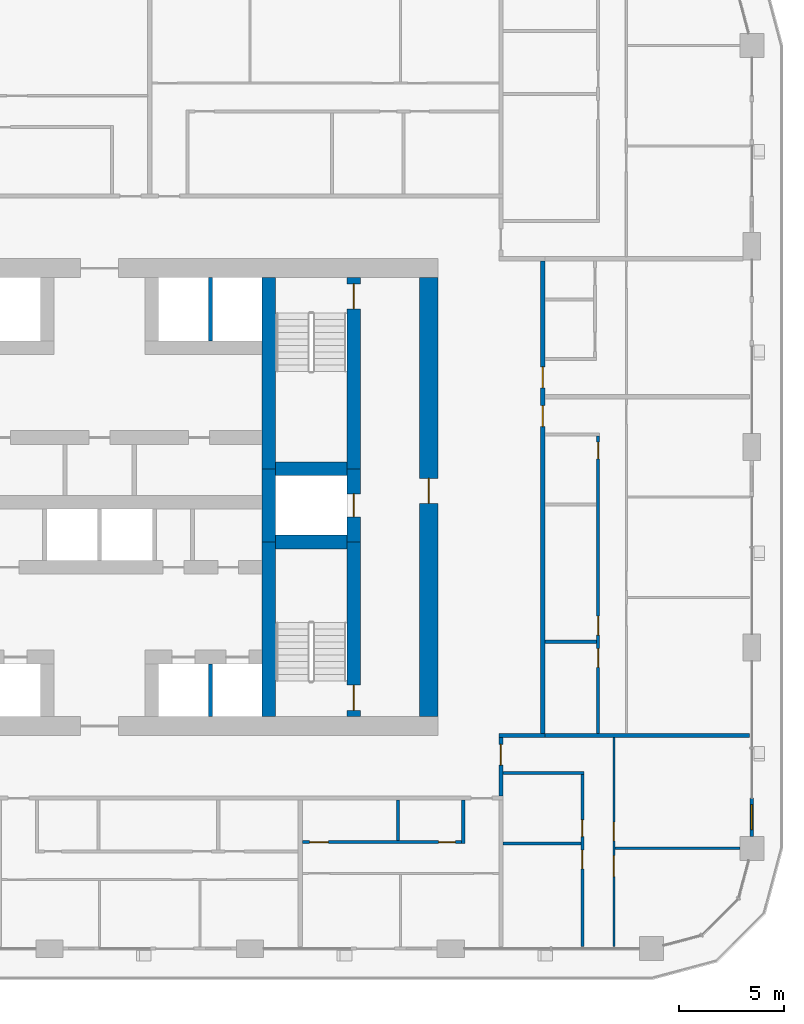
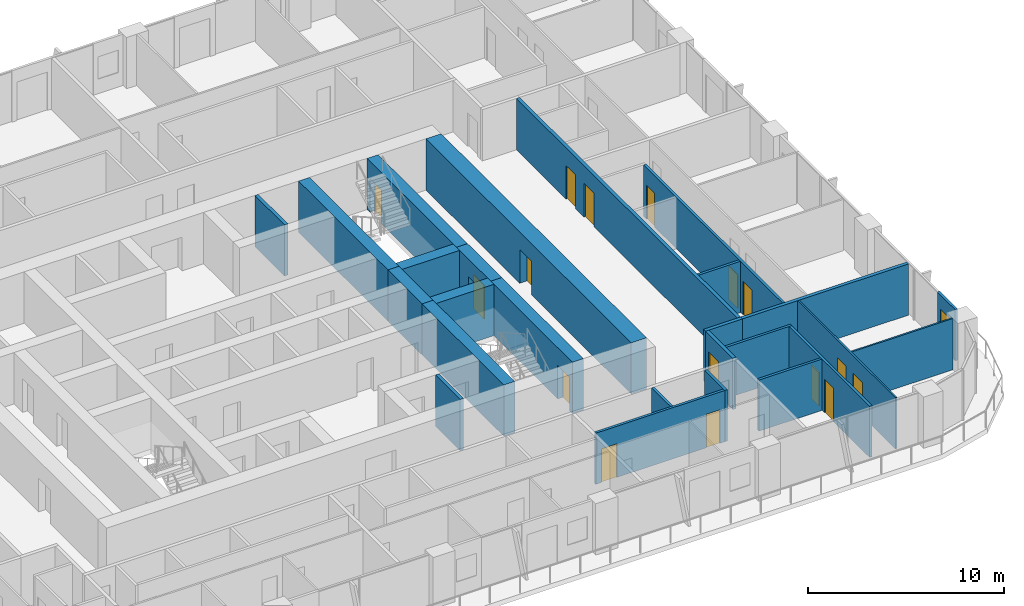
# One storey, part 12 of 22: 26 walls, 16 doors, 1 window, 17 openings.
"""IFC4 building model written with IfcOpenShell, lengths in metres."""

from ifc_helpers import new_model, si_unit, direction, frame, frame_2d, origin, place, context, subcontext, project, spatial, rectangle, extrude, material, layer, layer_set, type_object, element, fill, save


model = new_model("IFC4")

# Units and contexts
model_context = context("Model", 3, precision=1e-05, world=origin(), true_north=direction((0.0, 1.0)))
body_context = subcontext(model_context, "Body", "Model", "MODEL_VIEW")
ifc_project = project(units=[si_unit("LENGTHUNIT", "METRE"), si_unit("AREAUNIT", "SQUARE_METRE"), si_unit("VOLUMEUNIT", "CUBIC_METRE"), si_unit("PLANEANGLEUNIT", "RADIAN"), si_unit("MASSUNIT", "GRAM", prefix="KILO")], contexts=[model_context])

# Site, building, storey
site_placement = place(None, origin())
site = spatial("IfcSite", under=ifc_project, at=site_placement, CompositionType="ELEMENT")
building_placement = place(site_placement, origin())
building = spatial("IfcBuilding", under=site, at=building_placement, Name="Madar Terraces", CompositionType="ELEMENT")
storey_placement = place(building_placement, frame((0.0, 0.0, 99.699951171875)))
storey = spatial("IfcBuildingStorey", under=building, at=storey_placement, Name="L25", CompositionType="ELEMENT", Elevation=99.699951171875)

# Walls
ifc_material_1 = material(Name="Concrete C80/95", Category="concrete")
ifc_layer_1 = layer(ifc_material_1, 0.64990234375)
ifc_layer_set_1 = layer_set([ifc_layer_1], Name="Concrete C80/95 (CIW2 RC wall 650)")
wall_type_1 = type_object("IfcWallType", Name="CIW2 RC wall 650", PredefinedType="SHEAR", material=ifc_layer_set_1)
wall_1_placement = place(storey_placement, frame((39.300048828125, 15.89990234375, 0.0), z_axis=(0.0, 0.0, 1.0), x_axis=(0.0, 1.0, 0.0)))
element("IfcWall", 1, at=wall_1_placement, inside=storey, type_object=wall_type_1, Name="CORE SHAFT WALL", PredefinedType="SHEAR", context=body_context, shape_type="SweptSolid", body=[
    extrude(rectangle(XDim=8.35009765625, YDim=0.64990234375, at=frame_2d((4.175048828125, 0.0))), origin(), (0.0, 0.0, 1.0), 3.199951171875),
])
wall_2_placement = place(storey_placement, frame((39.300048828125, 24.25, 0.0), z_axis=(0.0, 0.0, 1.0), x_axis=(0.0, 1.0, 0.0)))
element("IfcWall", 2, at=wall_2_placement, inside=storey, type_object=wall_type_1, Name="CORE SHAFT WALL", PredefinedType="SHEAR", context=body_context, shape_type="SweptSolid", body=[
    extrude(rectangle(XDim=3.5, YDim=0.64990234375, at=frame_2d((1.75, 0.0))), origin(), (0.0, 0.0, 1.0), 3.199951171875),
])
wall_3_placement = place(storey_placement, frame((39.300048828125, 27.75, 0.0), z_axis=(0.0, 0.0, 1.0), x_axis=(0.0, 1.0, 0.0)))
element("IfcWall", 3, at=wall_3_placement, inside=storey, type_object=wall_type_1, Name="CORE SHAFT WALL", PredefinedType="SHEAR", context=body_context, shape_type="SweptSolid", body=[
    extrude(rectangle(XDim=9.14990234375, YDim=0.64990234375, at=frame_2d((4.574951171875, 0.0))), origin(), (0.0, 0.0, 1.0), 3.199951171875),
])

# Wall, opening, door
wall_4_placement = place(storey_placement, frame((43.35009765625, 15.89990234375, 0.0), z_axis=(0.0, 0.0, 1.0), x_axis=(0.0, 1.0, 0.0)))
wall_4 = element("IfcWall", 4, at=wall_4_placement, inside=storey, type_object=wall_type_1, Name="CORE SHAFT WALL", PredefinedType="SHEAR", context=body_context, shape_type="SweptSolid", body=[
    extrude(rectangle(XDim=8.35009765625, YDim=0.64990234375, at=frame_2d((4.175048828125, 0.0))), origin(), (0.0, 0.0, 1.0), 3.199951171875),
])
opening_1_placement = place(wall_4_placement, frame((0.300048828125, 0.0, 0.0)))
opening_1 = element("IfcOpeningElement", 5, at=opening_1_placement, cuts=wall_4, Name="Opening SD1", PredefinedType="OPENING", context=body_context, shape_type="SweptSolid", body=[
    extrude(rectangle(XDim=1.199951171875, YDim=2.10009765625, at=frame_2d((0.60009765625, 1.050048828125))), frame((0.0, 0.3349609375, 0.0), z_axis=(0.0, -1.0, 0.0), x_axis=(1.0, 0.0, 0.0)), (0.0, 0.0, 1.0), 0.669921875),
])
ifc_material_2 = material(Name="Steel door leaf", Category="steel")
door_type_1 = type_object("IfcDoorType", Name="Stair door 1200 x 2100", OperationType="NOTDEFINED", PredefinedType="DOOR", material=ifc_material_2)
door_1_placement = place(opening_1_placement, origin())
door_1 = element("IfcDoor", 6, at=door_1_placement, inside=storey, type_object=door_type_1, Name="STAIR DOOR", OperationType="SINGLE_SWING_RIGHT", OverallHeight=2.10009765625, OverallWidth=1.199951171875, PredefinedType="DOOR", context=body_context, shape_type="SweptSolid", body=[
    extrude(rectangle(XDim=1.199951171875, YDim=2.10009765625, at=frame_2d((0.60009765625, 1.050048828125))), frame((0.0, 0.02490234375, 0.0), z_axis=(0.0, -1.0, 0.0), x_axis=(1.0, 0.0, 0.0)), (0.0, 0.0, 1.0), 0.050048828125),
])
fill(opening_1, door_1)

wall_5_placement = place(storey_placement, frame((43.35009765625, 24.25, 0.0), z_axis=(0.0, 0.0, 1.0), x_axis=(0.0, 1.0, 0.0)))
wall_5 = element("IfcWall", 7, at=wall_5_placement, inside=storey, type_object=wall_type_1, Name="CORE SHAFT WALL", PredefinedType="SHEAR", context=body_context, shape_type="SweptSolid", body=[
    extrude(rectangle(XDim=3.5, YDim=0.64990234375, at=frame_2d((1.75, 0.0))), origin(), (0.0, 0.0, 1.0), 3.199951171875),
])
opening_2_placement = place(wall_5_placement, frame((1.199951171875, 0.0, 0.0)))
opening_2 = element("IfcOpeningElement", 8, at=opening_2_placement, cuts=wall_5, Name="Opening LD", PredefinedType="OPENING", context=body_context, shape_type="SweptSolid", body=[
    extrude(rectangle(XDim=1.10009765625, YDim=2.10009765625, at=frame_2d((0.550048828125, 1.050048828125))), frame((0.0, 0.3349609375, 0.0), z_axis=(0.0, -1.0, 0.0), x_axis=(1.0, 0.0, 0.0)), (0.0, 0.0, 1.0), 0.669921875),
])
ifc_material_3 = material(Name="Stainless steel panel", Category="steel")
door_type_2 = type_object("IfcDoorType", Name="Lift landing door 1100 x 2100", OperationType="DOUBLE_DOOR_SLIDING", PredefinedType="DOOR", material=ifc_material_3)
door_2_placement = place(opening_2_placement, origin())
door_2 = element("IfcDoor", 9, at=door_2_placement, inside=storey, type_object=door_type_2, Name="LIFT LANDING DOOR", OperationType="DOUBLE_DOOR_SLIDING", OverallHeight=2.10009765625, OverallWidth=1.10009765625, PredefinedType="DOOR", context=body_context, shape_type="SweptSolid", body=[
    extrude(rectangle(XDim=1.10009765625, YDim=2.10009765625, at=frame_2d((0.550048828125, 1.050048828125))), frame((0.0, 0.02490234375, 0.0), z_axis=(0.0, -1.0, 0.0), x_axis=(1.0, 0.0, 0.0)), (0.0, 0.0, 1.0), 0.050048828125),
])
fill(opening_2, door_2)

wall_6_placement = place(storey_placement, frame((43.35009765625, 27.75, 0.0), z_axis=(0.0, 0.0, 1.0), x_axis=(0.0, 1.0, 0.0)))
wall_6 = element("IfcWall", 10, at=wall_6_placement, inside=storey, type_object=wall_type_1, Name="CORE SHAFT WALL", PredefinedType="SHEAR", context=body_context, shape_type="SweptSolid", body=[
    extrude(rectangle(XDim=9.14990234375, YDim=0.64990234375, at=frame_2d((4.574951171875, 0.0))), origin(), (0.0, 0.0, 1.0), 3.199951171875),
])
opening_3_placement = place(wall_6_placement, frame((7.64990234375, 0.0, 0.0)))
opening_3 = element("IfcOpeningElement", 11, at=opening_3_placement, cuts=wall_6, Name="Opening SD1", PredefinedType="OPENING", context=body_context, shape_type="SweptSolid", body=[
    extrude(rectangle(XDim=1.199951171875, YDim=2.10009765625, at=frame_2d((0.60009765625, 1.050048828125))), frame((0.0, 0.3349609375, 0.0), z_axis=(0.0, -1.0, 0.0), x_axis=(1.0, 0.0, 0.0)), (0.0, 0.0, 1.0), 0.669921875),
])
door_3_placement = place(opening_3_placement, origin())
door_3 = element("IfcDoor", 12, at=door_3_placement, inside=storey, type_object=door_type_1, Name="STAIR DOOR", OperationType="SINGLE_SWING_LEFT", OverallHeight=2.10009765625, OverallWidth=1.199951171875, PredefinedType="DOOR", context=body_context, shape_type="SweptSolid", body=[
    extrude(rectangle(XDim=1.199951171875, YDim=2.10009765625, at=frame_2d((0.60009765625, 1.050048828125))), frame((0.0, 0.02490234375, 0.0), z_axis=(0.0, -1.0, 0.0), x_axis=(1.0, 0.0, 0.0)), (0.0, 0.0, 1.0), 0.050048828125),
])
fill(opening_3, door_3)

# Walls
for number, where, z_axis, x_axis, name in (
    (13, (39.625, 24.25, 0.0), (0.0, 0.0, 1.0), (1.0, 0.0, 0.0), "CORE SHAFT WALL"),
    (14, (39.625, 27.75, 0.0), (0.0, 0.0, 1.0), (1.0, 0.0, 0.0), "CORE SHAFT WALL"),
):
    element("IfcWall", number, at=place(storey_placement, frame(where, z_axis=z_axis, x_axis=x_axis)), inside=storey, type_object=wall_type_1, Name=name, PredefinedType="SHEAR", context=body_context, shape_type="SweptSolid", body=[
        extrude(rectangle(XDim=3.39990234375, YDim=0.64990234375, at=frame_2d((1.699951171875, 0.0))), origin(), (0.0, 0.0, 1.0), 3.199951171875),
    ])

# Wall, opening, door
ifc_material_4 = material(Name="Concrete C80/95", Category="concrete")
ifc_layer_2 = layer(ifc_material_4, 0.89990234375)
ifc_layer_set_2 = layer_set([ifc_layer_2], Name="Concrete C80/95 (CRW2 RC wall 900)")
wall_type_2 = type_object("IfcWallType", Name="CRW2 RC wall 900", PredefinedType="SHEAR", material=ifc_layer_set_2)
wall_7_placement = place(storey_placement, frame((46.949951171875, 15.89990234375, 0.0), z_axis=(0.0, 0.0, 1.0), x_axis=(0.0, 1.0, 0.0)))
wall_7 = element("IfcWall", 15, at=wall_7_placement, inside=storey, type_object=wall_type_2, Name="CORE OUTER WALL", PredefinedType="SHEAR", context=body_context, shape_type="SweptSolid", body=[
    extrude(rectangle(XDim=21.0, YDim=0.89990234375, at=frame_2d((10.5, 0.0))), origin(), (0.0, 0.0, 1.0), 3.199951171875),
])
opening_4_placement = place(wall_7_placement, frame((10.199951171875, 0.0, 0.0)))
opening_4 = element("IfcOpeningElement", 16, at=opening_4_placement, cuts=wall_7, Name="Opening SD1", PredefinedType="OPENING", context=body_context, shape_type="SweptSolid", body=[
    extrude(rectangle(XDim=1.199951171875, YDim=2.10009765625, at=frame_2d((0.60009765625, 1.050048828125))), frame((0.0, 0.4599609375, 0.0), z_axis=(0.0, -1.0, 0.0), x_axis=(1.0, 0.0, 0.0)), (0.0, 0.0, 1.0), 0.919921875),
])
door_4_placement = place(opening_4_placement, origin())
door_4 = element("IfcDoor", 17, at=door_4_placement, inside=storey, type_object=door_type_1, Name="STAIR DOOR", OperationType="SINGLE_SWING_LEFT", OverallHeight=2.10009765625, OverallWidth=1.199951171875, PredefinedType="DOOR", context=body_context, shape_type="SweptSolid", body=[
    extrude(rectangle(XDim=1.199951171875, YDim=2.10009765625, at=frame_2d((0.60009765625, 1.050048828125))), frame((0.0, 0.02490234375, 0.0), z_axis=(0.0, -1.0, 0.0), x_axis=(1.0, 0.0, 0.0)), (0.0, 0.0, 1.0), 0.050048828125),
])
fill(opening_4, door_4)

# Walls
ifc_material_5 = material(Name="Concrete C40/50", Category="concrete")
ifc_layer_3 = layer(ifc_material_5, 0.199951171875)
ifc_layer_set_3 = layer_set([ifc_layer_3], Name="Core shaft dividing wall 200 C40/50")
wall_type_3 = type_object("IfcWallType", Name="Core shaft dividing wall 200 C40/50", PredefinedType="SOLIDWALL", material=ifc_layer_set_3)
wall_8_placement = place(storey_placement, frame((36.5, 15.89990234375, 0.0), z_axis=(0.0, 0.0, 1.0), x_axis=(0.0, 1.0, 0.0)))
element("IfcWall", 18, at=wall_8_placement, inside=storey, type_object=wall_type_3, Name="SHAFT DIVIDING WALL", PredefinedType="SOLIDWALL", context=body_context, shape_type="SweptSolid", body=[
    extrude(rectangle(XDim=2.525146484375, YDim=0.199951171875, at=frame_2d((1.2626953125, 0.0))), origin(), (0.0, 0.0, 1.0), 3.199951171875),
])
wall_9_placement = place(storey_placement, frame((36.5, 33.875, 0.0), z_axis=(0.0, 0.0, 1.0), x_axis=(0.0, 1.0, 0.0)))
element("IfcWall", 19, at=wall_9_placement, inside=storey, type_object=wall_type_3, Name="SHAFT DIVIDING WALL", PredefinedType="SOLIDWALL", context=body_context, shape_type="SweptSolid", body=[
    extrude(rectangle(XDim=3.02490234375, YDim=0.199951171875, at=frame_2d((1.512451171875, 0.0))), origin(), (0.0, 0.0, 1.0), 3.199951171875),
])

# Wall, opening, window
ifc_material_6 = material(Name="Aluminium composite panel, black, over insulated backing", Category="aluminium")
ifc_layer_4 = layer(ifc_material_6, 0.14990234375)
ifc_layer_set_4 = layer_set([ifc_layer_4], Name="Facade bay panel 150")
wall_type_4 = type_object("IfcWallType", Name="Facade bay panel 150", PredefinedType="SOLIDWALL", material=ifc_layer_set_4)
wall_10_placement = place(storey_placement, frame((62.39990234375, 10.175048828125, 0.0), z_axis=(0.0, 0.0, 1.0), x_axis=(0.0, 1.0, 0.0)))
wall_10 = element("IfcWall", 20, at=wall_10_placement, inside=storey, type_object=wall_type_4, Name="Facade bay panel", PredefinedType="SOLIDWALL", context=body_context, shape_type="SweptSolid", body=[
    extrude(rectangle(XDim=1.824951171875, YDim=0.14990234375, at=frame_2d((0.91259765625, 0.0))), origin(), (0.0, 0.0, 1.0), 3.199951171875),
])
opening_5_placement = place(wall_10_placement, frame((0.3125, 0.0, 0.89990234375)))
opening_5 = element("IfcOpeningElement", 21, at=opening_5_placement, cuts=wall_10, Name="Opening W1", PredefinedType="OPENING", context=body_context, shape_type="SweptSolid", body=[
    extrude(rectangle(XDim=1.199951171875, YDim=1.39990234375, at=frame_2d((0.60009765625, 0.699951171875))), frame((0.0, 0.0849609375, 0.0), z_axis=(0.0, -1.0, 0.0), x_axis=(1.0, 0.0, 0.0)), (0.0, 0.0, 1.0), 0.169921875),
])
ifc_material_7 = material(Name="Glass, clear, with black aluminium frame", Category="aluminium")
window_type = type_object("IfcWindowType", Name="Vent window 1200 x 1400", PartitioningType="SINGLE_PANEL", PredefinedType="WINDOW", material=ifc_material_7)
window_placement = place(opening_5_placement, origin())
window = element("IfcWindow", 22, at=window_placement, inside=storey, type_object=window_type, Name="Operable vent window", OverallHeight=1.39990234375, OverallWidth=1.199951171875, PartitioningType="SINGLE_PANEL", PredefinedType="WINDOW", context=body_context, shape_type="SweptSolid", body=[
    extrude(rectangle(XDim=1.199951171875, YDim=1.39990234375, at=frame_2d((0.60009765625, 0.699951171875))), frame((0.0, 0.030029296875, 0.0), z_axis=(0.0, -1.0, 0.0), x_axis=(1.0, 0.0, 0.0)), (0.0, 0.0, 1.0), 0.06005859375),
])
fill(opening_5, window)

# Wall
ifc_material_8 = material(Name="Gypsum board on steel studs", Category="steel")
ifc_layer_5 = layer(ifc_material_8, 0.10009765625)
ifc_layer_set_5 = layer_set([ifc_layer_5], Name="Flat partition 100")
wall_type_5 = type_object("IfcWallType", Name="Flat partition 100", PredefinedType="PARTITIONING", material=ifc_layer_set_5)
wall_11_placement = place(storey_placement, frame((55.85009765625, 9.60009765625, 0.0), z_axis=(0.0, 0.0, 1.0), x_axis=(1.0, 0.0, 0.0)))
element("IfcWall", 23, at=wall_11_placement, inside=storey, type_object=wall_type_5, Name="Flat partition 100", PredefinedType="PARTITIONING", context=body_context, shape_type="SweptSolid", body=[
    extrude(rectangle(XDim=5.974853515625, YDim=0.10009765625, at=frame_2d((2.9873046875, 0.0))), origin(), (0.0, 0.0, 1.0), 3.199951171875),
])

# Wall, openings, doors
wall_12_placement = place(storey_placement, frame((55.800048828125, 14.89990234375, 0.0), z_axis=(0.0, 0.0, 1.0), x_axis=(0.0, -1.0, 0.0)))
wall_12 = element("IfcWall", 24, at=wall_12_placement, inside=storey, type_object=wall_type_5, Name="Flat partition 100", PredefinedType="PARTITIONING", context=body_context, shape_type="SweptSolid", body=[
    extrude(rectangle(XDim=10.0, YDim=0.10009765625, at=frame_2d((5.0, 0.0))), origin(), (0.0, 0.0, 1.0), 3.199951171875),
])
opening_6_placement = place(wall_12_placement, frame((4.050048828125, 0.0, 0.0)))
opening_6 = element("IfcOpeningElement", 25, at=opening_6_placement, cuts=wall_12, Name="Opening D2", PredefinedType="OPENING", context=body_context, shape_type="SweptSolid", body=[
    extrude(rectangle(XDim=0.89990234375, YDim=2.10009765625, at=frame_2d((0.449951171875, 1.050048828125))), frame((0.0, 0.06005859375, 0.0), z_axis=(0.0, -1.0, 0.0), x_axis=(1.0, 0.0, 0.0)), (0.0, 0.0, 1.0), 0.1201171875),
])
opening_7_placement = place(wall_12_placement, frame((5.64990234375, 0.0, 0.0)))
opening_7 = element("IfcOpeningElement", 26, at=opening_7_placement, cuts=wall_12, Name="Opening D3", PredefinedType="OPENING", context=body_context, shape_type="SweptSolid", body=[
    extrude(rectangle(XDim=1.0, YDim=2.10009765625, at=frame_2d((0.5, 1.050048828125))), frame((0.0, 0.06005859375, 0.0), z_axis=(0.0, -1.0, 0.0), x_axis=(1.0, 0.0, 0.0)), (0.0, 0.0, 1.0), 0.1201171875),
])
ifc_material_9 = material(Name="Timber door leaf", Category="wood")
door_type_3 = type_object("IfcDoorType", Name="Flat living room door 1000", OperationType="NOTDEFINED", PredefinedType="DOOR", material=ifc_material_9)
door_5_placement = place(opening_7_placement, origin())
door_5 = element("IfcDoor", 27, at=door_5_placement, inside=storey, type_object=door_type_3, Name="Flat living room door 1000", OperationType="SINGLE_SWING_LEFT", OverallHeight=2.10009765625, OverallWidth=1.0, PredefinedType="DOOR", context=body_context, shape_type="SweptSolid", body=[
    extrude(rectangle(XDim=1.0, YDim=2.10009765625, at=frame_2d((0.5, 1.050048828125))), frame((0.0, 0.02490234375, 0.0), z_axis=(0.0, -1.0, 0.0), x_axis=(1.0, 0.0, 0.0)), (0.0, 0.0, 1.0), 0.050048828125),
])
fill(opening_7, door_5)
ifc_material_10 = material(Name="Timber door leaf", Category="wood")
door_type_4 = type_object("IfcDoorType", Name="Flat room door 900", OperationType="NOTDEFINED", PredefinedType="DOOR", material=ifc_material_10)
door_6_placement = place(opening_6_placement, origin())
door_6 = element("IfcDoor", 28, at=door_6_placement, inside=storey, type_object=door_type_4, Name="Flat room door 900", OperationType="SINGLE_SWING_RIGHT", OverallHeight=2.10009765625, OverallWidth=0.89990234375, PredefinedType="DOOR", context=body_context, shape_type="SweptSolid", body=[
    extrude(rectangle(XDim=0.89990234375, YDim=2.10009765625, at=frame_2d((0.449951171875, 1.050048828125))), frame((0.0, 0.02490234375, 0.0), z_axis=(0.0, -1.0, 0.0), x_axis=(1.0, 0.0, 0.0)), (0.0, 0.0, 1.0), 0.050048828125),
])
fill(opening_6, door_6)

# Wall, opening, door
ifc_material_11 = material(Name="Lightweight blockwork", Category="masonry")
ifc_layer_6 = layer(ifc_material_11, 0.199951171875)
ifc_layer_set_6 = layer_set([ifc_layer_6], Name="Flat party and entrance wall 200")
wall_type_6 = type_object("IfcWallType", Name="Flat party and entrance wall 200", PredefinedType="PARTITIONING", material=ifc_layer_set_6)
wall_13_placement = place(storey_placement, frame((50.39990234375, 14.89990234375, 0.0), z_axis=(0.0, 0.0, 1.0), x_axis=(0.0, -1.0, 0.0)))
wall_13 = element("IfcWall", 29, at=wall_13_placement, inside=storey, type_object=wall_type_6, Name="Flat party and entrance wall 200", PredefinedType="PARTITIONING", context=body_context, shape_type="SweptSolid", body=[
    extrude(rectangle(XDim=2.7998046875, YDim=0.199951171875, at=frame_2d((1.39990234375, 0.0))), origin(), (0.0, 0.0, 1.0), 3.199951171875),
])
opening_8_placement = place(wall_13_placement, frame((0.324951171875, 0.0, 0.0)))
opening_8 = element("IfcOpeningElement", 30, at=opening_8_placement, cuts=wall_13, Name="Opening D1", PredefinedType="OPENING", context=body_context, shape_type="SweptSolid", body=[
    extrude(rectangle(XDim=1.0, YDim=2.10009765625, at=frame_2d((0.5, 1.050048828125))), frame((0.0, 0.10986328125, 0.0), z_axis=(0.0, -1.0, 0.0), x_axis=(1.0, 0.0, 0.0)), (0.0, 0.0, 1.0), 0.219970703125),
])
ifc_material_12 = material(Name="Timber fire door leaf", Category="wood")
door_type_5 = type_object("IfcDoorType", Name="Flat entrance door 1000 FD30S", OperationType="NOTDEFINED", PredefinedType="DOOR", material=ifc_material_12)
door_7_placement = place(opening_8_placement, origin())
door_7 = element("IfcDoor", 31, at=door_7_placement, inside=storey, type_object=door_type_5, Name="Flat entrance door 1000 FD30S", OperationType="SINGLE_SWING_LEFT", OverallHeight=2.10009765625, OverallWidth=1.0, PredefinedType="DOOR", context=body_context, shape_type="SweptSolid", body=[
    extrude(rectangle(XDim=1.0, YDim=2.10009765625, at=frame_2d((0.5, 1.050048828125))), frame((0.0, 0.02490234375, 0.0), z_axis=(0.0, -1.0, 0.0), x_axis=(1.0, 0.0, 0.0)), (0.0, 0.0, 1.0), 0.050048828125),
])
fill(opening_8, door_7)

# Wall
wall_14_placement = place(storey_placement, frame((50.300048828125, 15.0, 0.0), z_axis=(0.0, 0.0, 1.0), x_axis=(1.0, 0.0, 0.0)))
element("IfcWall", 32, at=wall_14_placement, inside=storey, type_object=wall_type_6, Name="Flat party and entrance wall 200", PredefinedType="PARTITIONING", context=body_context, shape_type="SweptSolid", body=[
    extrude(rectangle(XDim=2.199951171875, YDim=0.199951171875, at=frame_2d((1.10009765625, 0.0))), origin(), (0.0, 0.0, 1.0), 3.199951171875),
])

# Wall, openings, doors
wall_15_placement = place(storey_placement, frame((52.39990234375, 37.699951171875, 0.0), z_axis=(0.0, 0.0, 1.0), x_axis=(0.0, -1.0, 0.0)))
wall_15 = element("IfcWall", 33, at=wall_15_placement, inside=storey, type_object=wall_type_6, Name="Flat party and entrance wall 200", PredefinedType="PARTITIONING", context=body_context, shape_type="SweptSolid", body=[
    extrude(rectangle(XDim=22.599853515625, YDim=0.199951171875, at=frame_2d((11.2998046875, 0.0))), origin(), (0.0, 0.0, 1.0), 3.199951171875),
])
opening_9_placement = place(wall_15_placement, frame((6.925048828125, 0.0, 0.0)))
opening_9 = element("IfcOpeningElement", 34, at=opening_9_placement, cuts=wall_15, Name="Opening D1", PredefinedType="OPENING", context=body_context, shape_type="SweptSolid", body=[
    extrude(rectangle(XDim=1.0, YDim=2.10009765625, at=frame_2d((0.5, 1.050048828125))), frame((0.0, 0.10986328125, 0.0), z_axis=(0.0, -1.0, 0.0), x_axis=(1.0, 0.0, 0.0)), (0.0, 0.0, 1.0), 0.219970703125),
])
opening_10_placement = place(wall_15_placement, frame((5.074951171875, 0.0, 0.0)))
opening_10 = element("IfcOpeningElement", 35, at=opening_10_placement, cuts=wall_15, Name="Opening D1", PredefinedType="OPENING", context=body_context, shape_type="SweptSolid", body=[
    extrude(rectangle(XDim=1.0, YDim=2.10009765625, at=frame_2d((0.5, 1.050048828125))), frame((0.0, 0.10986328125, 0.0), z_axis=(0.0, -1.0, 0.0), x_axis=(1.0, 0.0, 0.0)), (0.0, 0.0, 1.0), 0.219970703125),
])
door_8_placement = place(opening_9_placement, origin())
door_8 = element("IfcDoor", 36, at=door_8_placement, inside=storey, type_object=door_type_5, Name="Flat entrance door 1000 FD30S", OperationType="SINGLE_SWING_LEFT", OverallHeight=2.10009765625, OverallWidth=1.0, PredefinedType="DOOR", context=body_context, shape_type="SweptSolid", body=[
    extrude(rectangle(XDim=1.0, YDim=2.10009765625, at=frame_2d((0.5, 1.050048828125))), frame((0.0, 0.02490234375, 0.0), z_axis=(0.0, -1.0, 0.0), x_axis=(1.0, 0.0, 0.0)), (0.0, 0.0, 1.0), 0.050048828125),
])
fill(opening_9, door_8)
door_9_placement = place(opening_10_placement, origin())
door_9 = element("IfcDoor", 37, at=door_9_placement, inside=storey, type_object=door_type_5, Name="Flat entrance door 1000 FD30S", OperationType="SINGLE_SWING_RIGHT", OverallHeight=2.10009765625, OverallWidth=1.0, PredefinedType="DOOR", context=body_context, shape_type="SweptSolid", body=[
    extrude(rectangle(XDim=1.0, YDim=2.10009765625, at=frame_2d((0.5, 1.050048828125))), frame((0.0, 0.02490234375, 0.0), z_axis=(0.0, -1.0, 0.0), x_axis=(1.0, 0.0, 0.0)), (0.0, 0.0, 1.0), 0.050048828125),
])
fill(opening_10, door_9)

# Walls
wall_16_placement = place(storey_placement, frame((52.5, 15.0, 0.0), z_axis=(0.0, 0.0, 1.0), x_axis=(1.0, 0.0, 0.0)))
element("IfcWall", 38, at=wall_16_placement, inside=storey, type_object=wall_type_6, Name="Flat party and entrance wall 200", PredefinedType="PARTITIONING", context=body_context, shape_type="SweptSolid", body=[
    extrude(rectangle(XDim=9.800048828125, YDim=0.199951171875, at=frame_2d((4.89990234375, 0.0))), origin(), (0.0, 0.0, 1.0), 3.199951171875),
])
ifc_material_13 = material(Name="Lightweight blockwork", Category="masonry")
ifc_layer_7 = layer(ifc_material_13, 0.14990234375)
ifc_layer_set_7 = layer_set([ifc_layer_7], Name="Flat wet-room partition 150")
wall_type_7 = type_object("IfcWallType", Name="Flat wet-room partition 150", PredefinedType="PARTITIONING", material=ifc_layer_set_7)
wall_17_placement = place(storey_placement, frame((45.47509765625, 11.89990234375, 0.0), z_axis=(0.0, 0.0, 1.0), x_axis=(0.0, -1.0, 0.0)))
element("IfcWall", 39, at=wall_17_placement, inside=storey, type_object=wall_type_7, Name="Flat wet-room partition 150", PredefinedType="PARTITIONING", context=body_context, shape_type="SweptSolid", body=[
    extrude(rectangle(XDim=1.9248046875, YDim=0.14990234375, at=frame_2d((0.96240234375, 0.0))), origin(), (0.0, 0.0, 1.0), 3.199951171875),
])
wall_18_placement = place(storey_placement, frame((48.60009765625, 11.89990234375, 0.0), z_axis=(0.0, 0.0, 1.0), x_axis=(0.0, -1.0, 0.0)))
element("IfcWall", 40, at=wall_18_placement, inside=storey, type_object=wall_type_7, Name="Flat wet-room partition 150", PredefinedType="PARTITIONING", context=body_context, shape_type="SweptSolid", body=[
    extrude(rectangle(XDim=2.074951171875, YDim=0.14990234375, at=frame_2d((1.03759765625, 0.0))), origin(), (0.0, 0.0, 1.0), 3.199951171875),
])

# Wall, openings, doors
wall_19_placement = place(storey_placement, frame((40.89990234375, 9.89990234375, 0.0), z_axis=(0.0, 0.0, 1.0), x_axis=(1.0, 0.0, 0.0)))
wall_19 = element("IfcWall", 41, at=wall_19_placement, inside=storey, type_object=wall_type_7, Name="Flat wet-room partition 150", PredefinedType="PARTITIONING", context=body_context, shape_type="SweptSolid", body=[
    extrude(rectangle(XDim=7.625, YDim=0.14990234375, at=frame_2d((3.8125, 0.0))), origin(), (0.0, 0.0, 1.0), 3.199951171875),
])
opening_11_placement = place(wall_19_placement, frame((6.52490234375, 0.0, 0.0)))
opening_11 = element("IfcOpeningElement", 42, at=opening_11_placement, cuts=wall_19, Name="Opening D4", PredefinedType="OPENING", context=body_context, shape_type="SweptSolid", body=[
    extrude(rectangle(XDim=0.800048828125, YDim=2.10009765625, at=frame_2d((0.39990234375, 1.050048828125))), frame((0.0, 0.0849609375, 0.0), z_axis=(0.0, -1.0, 0.0), x_axis=(1.0, 0.0, 0.0)), (0.0, 0.0, 1.0), 0.169921875),
])
opening_12_placement = place(wall_19_placement, frame((0.35009765625, 0.0, 0.0)))
opening_12 = element("IfcOpeningElement", 43, at=opening_12_placement, cuts=wall_19, Name="Opening D2", PredefinedType="OPENING", context=body_context, shape_type="SweptSolid", body=[
    extrude(rectangle(XDim=0.89990234375, YDim=2.10009765625, at=frame_2d((0.449951171875, 1.050048828125))), frame((0.0, 0.0849609375, 0.0), z_axis=(0.0, -1.0, 0.0), x_axis=(1.0, 0.0, 0.0)), (0.0, 0.0, 1.0), 0.169921875),
])
ifc_material_14 = material(Name="Timber door leaf", Category="wood")
door_type_6 = type_object("IfcDoorType", Name="Flat bathroom door 800", OperationType="NOTDEFINED", PredefinedType="DOOR", material=ifc_material_14)
door_10_placement = place(opening_11_placement, origin())
door_10 = element("IfcDoor", 44, at=door_10_placement, inside=storey, type_object=door_type_6, Name="Flat bathroom door 800", OperationType="SINGLE_SWING_RIGHT", OverallHeight=2.10009765625, OverallWidth=0.800048828125, PredefinedType="DOOR", context=body_context, shape_type="SweptSolid", body=[
    extrude(rectangle(XDim=0.800048828125, YDim=2.10009765625, at=frame_2d((0.39990234375, 1.050048828125))), frame((0.0, 0.02490234375, 0.0), z_axis=(0.0, -1.0, 0.0), x_axis=(1.0, 0.0, 0.0)), (0.0, 0.0, 1.0), 0.050048828125),
])
fill(opening_11, door_10)
door_11_placement = place(opening_12_placement, origin())
door_11 = element("IfcDoor", 45, at=door_11_placement, inside=storey, type_object=door_type_4, Name="Flat room door 900", OperationType="SINGLE_SWING_LEFT", OverallHeight=2.10009765625, OverallWidth=0.89990234375, PredefinedType="DOOR", context=body_context, shape_type="SweptSolid", body=[
    extrude(rectangle(XDim=0.89990234375, YDim=2.10009765625, at=frame_2d((0.449951171875, 1.050048828125))), frame((0.0, 0.02490234375, 0.0), z_axis=(0.0, -1.0, 0.0), x_axis=(1.0, 0.0, 0.0)), (0.0, 0.0, 1.0), 0.050048828125),
])
fill(opening_12, door_11)

# Walls
wall_20_placement = place(storey_placement, frame((50.5, 9.8349609375, 0.0), z_axis=(0.0, 0.0, 1.0), x_axis=(1.0, 0.0, 0.0)))
element("IfcWall", 46, at=wall_20_placement, inside=storey, type_object=wall_type_7, Name="Flat wet-room partition 150", PredefinedType="PARTITIONING", context=body_context, shape_type="SweptSolid", body=[
    extrude(rectangle(XDim=3.72509765625, YDim=0.14990234375, at=frame_2d((1.862548828125, 0.0))), origin(), (0.0, 0.0, 1.0), 3.199951171875),
])
wall_21_placement = place(storey_placement, frame((50.5, 13.199951171875, 0.0), z_axis=(0.0, 0.0, 1.0), x_axis=(1.0, 0.0, 0.0)))
element("IfcWall", 47, at=wall_21_placement, inside=storey, type_object=wall_type_7, Name="Flat wet-room partition 150", PredefinedType="PARTITIONING", context=body_context, shape_type="SweptSolid", body=[
    extrude(rectangle(XDim=3.875, YDim=0.14990234375, at=frame_2d((1.9375, 0.0))), origin(), (0.0, 0.0, 1.0), 3.199951171875),
])

# Wall, openings, doors
wall_22_placement = place(storey_placement, frame((54.300048828125, 4.89990234375, 0.0), z_axis=(0.0, 0.0, 1.0), x_axis=(0.0, 1.0, 0.0)))
wall_22 = element("IfcWall", 48, at=wall_22_placement, inside=storey, type_object=wall_type_7, Name="Flat wet-room partition 150", PredefinedType="PARTITIONING", context=body_context, shape_type="SweptSolid", body=[
    extrude(rectangle(XDim=8.22509765625, YDim=0.14990234375, at=frame_2d((4.112548828125, 0.0))), origin(), (0.0, 0.0, 1.0), 3.199951171875),
])
opening_13_placement = place(wall_22_placement, frame((5.260009765625, 0.0, 0.0)))
opening_13 = element("IfcOpeningElement", 49, at=opening_13_placement, cuts=wall_22, Name="Opening D4", PredefinedType="OPENING", context=body_context, shape_type="SweptSolid", body=[
    extrude(rectangle(XDim=0.800048828125, YDim=2.10009765625, at=frame_2d((0.39990234375, 1.050048828125))), frame((0.0, 0.0849609375, 0.0), z_axis=(0.0, -1.0, 0.0), x_axis=(1.0, 0.0, 0.0)), (0.0, 0.0, 1.0), 0.169921875),
])
opening_14_placement = place(wall_22_placement, frame((3.7099609375, 0.0, 0.0)))
opening_14 = element("IfcOpeningElement", 50, at=opening_14_placement, cuts=wall_22, Name="Opening D2", PredefinedType="OPENING", context=body_context, shape_type="SweptSolid", body=[
    extrude(rectangle(XDim=0.89990234375, YDim=2.10009765625, at=frame_2d((0.449951171875, 1.050048828125))), frame((0.0, 0.0849609375, 0.0), z_axis=(0.0, -1.0, 0.0), x_axis=(1.0, 0.0, 0.0)), (0.0, 0.0, 1.0), 0.169921875),
])
door_12_placement = place(opening_13_placement, origin())
door_12 = element("IfcDoor", 51, at=door_12_placement, inside=storey, type_object=door_type_6, Name="Flat bathroom door 800", OperationType="SINGLE_SWING_LEFT", OverallHeight=2.10009765625, OverallWidth=0.800048828125, PredefinedType="DOOR", context=body_context, shape_type="SweptSolid", body=[
    extrude(rectangle(XDim=0.800048828125, YDim=2.10009765625, at=frame_2d((0.39990234375, 1.050048828125))), frame((0.0, 0.02490234375, 0.0), z_axis=(0.0, -1.0, 0.0), x_axis=(1.0, 0.0, 0.0)), (0.0, 0.0, 1.0), 0.050048828125),
])
fill(opening_13, door_12)
door_13_placement = place(opening_14_placement, origin())
door_13 = element("IfcDoor", 52, at=door_13_placement, inside=storey, type_object=door_type_4, Name="Flat room door 900", OperationType="SINGLE_SWING_RIGHT", OverallHeight=2.10009765625, OverallWidth=0.89990234375, PredefinedType="DOOR", context=body_context, shape_type="SweptSolid", body=[
    extrude(rectangle(XDim=0.89990234375, YDim=2.10009765625, at=frame_2d((0.449951171875, 1.050048828125))), frame((0.0, 0.02490234375, 0.0), z_axis=(0.0, -1.0, 0.0), x_axis=(1.0, 0.0, 0.0)), (0.0, 0.0, 1.0), 0.050048828125),
])
fill(opening_14, door_13)

# Wall
wall_23_placement = place(storey_placement, frame((52.5, 19.476806640625, 0.0), z_axis=(0.0, 0.0, 1.0), x_axis=(1.0, 0.0, 0.0)))
element("IfcWall", 53, at=wall_23_placement, inside=storey, type_object=wall_type_7, Name="Flat wet-room partition 150", PredefinedType="PARTITIONING", context=body_context, shape_type="SweptSolid", body=[
    extrude(rectangle(XDim=2.47509765625, YDim=0.14990234375, at=frame_2d((1.237548828125, 0.0))), origin(), (0.0, 0.0, 1.0), 3.199951171875),
])

# Wall, openings, doors
wall_24_placement = place(storey_placement, frame((55.050048828125, 15.10009765625, 0.0), z_axis=(0.0, 0.0, 1.0), x_axis=(0.0, 1.0, 0.0)))
wall_24 = element("IfcWall", 54, at=wall_24_placement, inside=storey, type_object=wall_type_7, Name="Flat wet-room partition 150", PredefinedType="PARTITIONING", context=body_context, shape_type="SweptSolid", body=[
    extrude(rectangle(XDim=14.224853515625, YDim=0.14990234375, at=frame_2d((7.1123046875, 0.0))), origin(), (0.0, 0.0, 1.0), 3.199951171875),
])
opening_15_placement = place(wall_24_placement, frame((13.125, 0.0, 0.0)))
opening_15 = element("IfcOpeningElement", 55, at=opening_15_placement, cuts=wall_24, Name="Opening D4", PredefinedType="OPENING", context=body_context, shape_type="SweptSolid", body=[
    extrude(rectangle(XDim=0.800048828125, YDim=2.10009765625, at=frame_2d((0.39990234375, 1.050048828125))), frame((0.0, 0.0849609375, 0.0), z_axis=(0.0, -1.0, 0.0), x_axis=(1.0, 0.0, 0.0)), (0.0, 0.0, 1.0), 0.169921875),
])
opening_16_placement = place(wall_24_placement, frame((4.701904296875, 0.0, 0.0)))
opening_16 = element("IfcOpeningElement", 56, at=opening_16_placement, cuts=wall_24, Name="Opening D2", PredefinedType="OPENING", context=body_context, shape_type="SweptSolid", body=[
    extrude(rectangle(XDim=0.89990234375, YDim=2.10009765625, at=frame_2d((0.449951171875, 1.050048828125))), frame((0.0, 0.0849609375, 0.0), z_axis=(0.0, -1.0, 0.0), x_axis=(1.0, 0.0, 0.0)), (0.0, 0.0, 1.0), 0.169921875),
])
opening_17_placement = place(wall_24_placement, frame((3.15185546875, 0.0, 0.0)))
opening_17 = element("IfcOpeningElement", 57, at=opening_17_placement, cuts=wall_24, Name="Opening D5", PredefinedType="OPENING", context=body_context, shape_type="SweptSolid", body=[
    extrude(rectangle(XDim=0.89990234375, YDim=2.10009765625, at=frame_2d((0.449951171875, 1.050048828125))), frame((0.0, 0.0849609375, 0.0), z_axis=(0.0, -1.0, 0.0), x_axis=(1.0, 0.0, 0.0)), (0.0, 0.0, 1.0), 0.169921875),
])
ifc_material_15 = material(Name="Timber door leaf", Category="wood")
door_type_7 = type_object("IfcDoorType", Name="Flat accessible bathroom door 900", OperationType="NOTDEFINED", PredefinedType="DOOR", material=ifc_material_15)
door_14_placement = place(opening_17_placement, origin())
door_14 = element("IfcDoor", 58, at=door_14_placement, inside=storey, type_object=door_type_7, Name="Flat accessible bathroom door 900", OperationType="SINGLE_SWING_RIGHT", OverallHeight=2.10009765625, OverallWidth=0.89990234375, PredefinedType="DOOR", context=body_context, shape_type="SweptSolid", body=[
    extrude(rectangle(XDim=0.89990234375, YDim=2.10009765625, at=frame_2d((0.449951171875, 1.050048828125))), frame((0.0, 0.02490234375, 0.0), z_axis=(0.0, -1.0, 0.0), x_axis=(1.0, 0.0, 0.0)), (0.0, 0.0, 1.0), 0.050048828125),
])
fill(opening_17, door_14)
door_15_placement = place(opening_15_placement, origin())
door_15 = element("IfcDoor", 59, at=door_15_placement, inside=storey, type_object=door_type_6, Name="Flat bathroom door 800", OperationType="SINGLE_SWING_RIGHT", OverallHeight=2.10009765625, OverallWidth=0.800048828125, PredefinedType="DOOR", context=body_context, shape_type="SweptSolid", body=[
    extrude(rectangle(XDim=0.800048828125, YDim=2.10009765625, at=frame_2d((0.39990234375, 1.050048828125))), frame((0.0, 0.02490234375, 0.0), z_axis=(0.0, -1.0, 0.0), x_axis=(1.0, 0.0, 0.0)), (0.0, 0.0, 1.0), 0.050048828125),
])
fill(opening_15, door_15)
door_16_placement = place(opening_16_placement, origin())
door_16 = element("IfcDoor", 60, at=door_16_placement, inside=storey, type_object=door_type_4, Name="Flat room door 900", OperationType="SINGLE_SWING_LEFT", OverallHeight=2.10009765625, OverallWidth=0.89990234375, PredefinedType="DOOR", context=body_context, shape_type="SweptSolid", body=[
    extrude(rectangle(XDim=0.89990234375, YDim=2.10009765625, at=frame_2d((0.449951171875, 1.050048828125))), frame((0.0, 0.02490234375, 0.0), z_axis=(0.0, -1.0, 0.0), x_axis=(1.0, 0.0, 0.0)), (0.0, 0.0, 1.0), 0.050048828125),
])
fill(opening_16, door_16)

save(model, "model.ifc")
